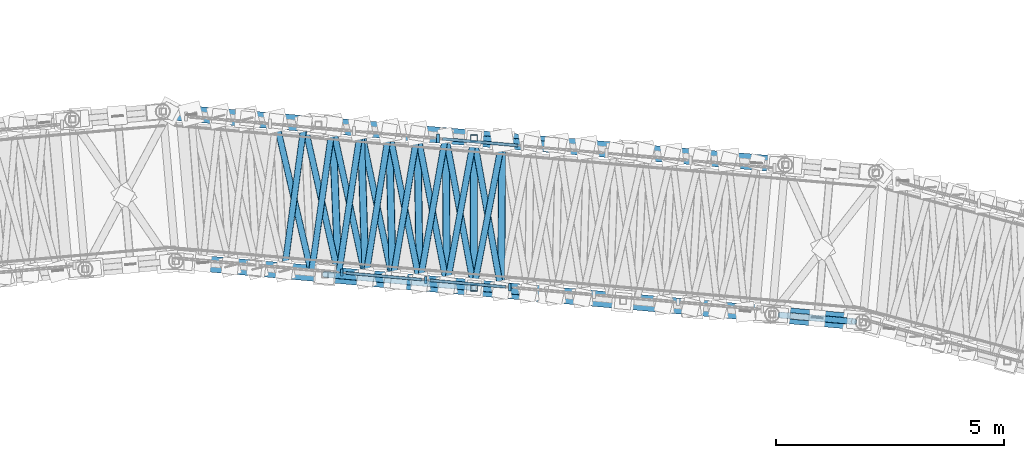
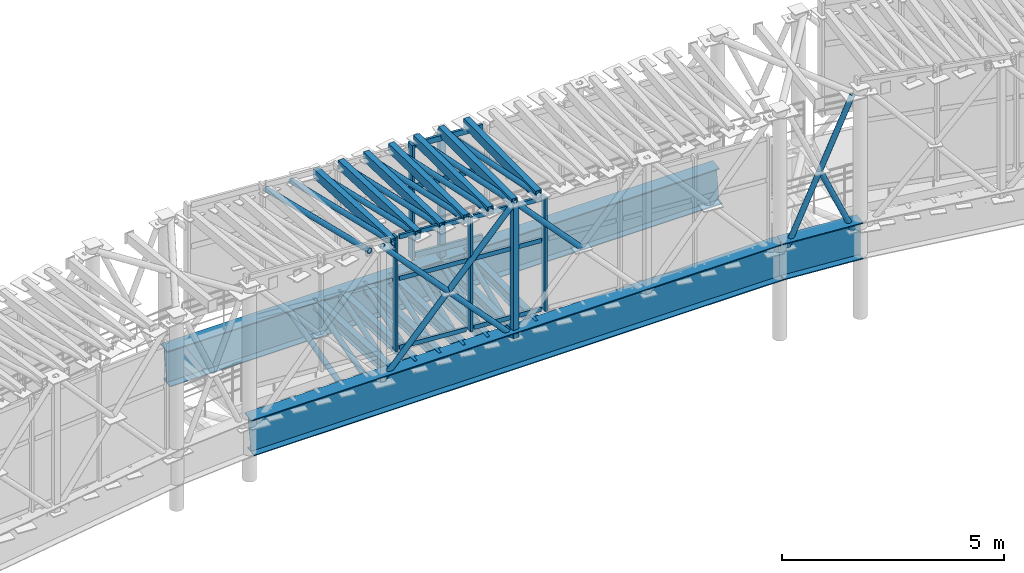
# One storey, part 55 of 144: 45 members, 10 beams, 2 elements without a shape of their own.
"""IFC4 building model written with IfcOpenShell, lengths in metres."""

from ifc_helpers import new_model, si_unit, direction, frame, origin, origin_2d, place, context, subcontext, project, spatial, rectangle, hollow_rectangle, hollow_circle, i_section, extrude, material, material_profile, profile_set, type_object, element, aggregate, save


model = new_model("IFC4")

# Units and contexts
model_context = context("Model", 3, precision=1e-05, world=origin(), true_north=direction((0.0, 1.0)))
body_context = subcontext(model_context, "Body", "Model", "MODEL_VIEW")
ifc_project = project(units=[si_unit("LENGTHUNIT", "METRE"), si_unit("AREAUNIT", "SQUARE_METRE"), si_unit("VOLUMEUNIT", "CUBIC_METRE"), si_unit("PLANEANGLEUNIT", "RADIAN"), si_unit("MASSUNIT", "GRAM", prefix="KILO")], contexts=[model_context])

# Site, building, storey
site_placement = place(None, origin())
site = spatial("IfcSite", under=ifc_project, at=site_placement, CompositionType="ELEMENT")
building_placement = place(site_placement, origin())
building = spatial("IfcBuilding", under=site, at=building_placement, Name="Cinderbank Siding Concert Hall", CompositionType="ELEMENT")
storey_placement = place(building_placement, frame((0.0, 0.0, 5.39990234375)))
storey = spatial("IfcBuildingStorey", under=building, at=storey_placement, Name="L02", CompositionType="ELEMENT", Elevation=5.39990234375)

# Beams
ifc_material_1 = material(Name="Structural steel welded plate section AS/NZS 3679.2 / AS/NZS 3678 Grade 350 (340 MPa)", Category="steel")
ifc_material_profile_1 = material_profile(ifc_material_1, i_section(OverallWidth=0.35009765625, OverallDepth=1.0, WebThickness=0.013916015625, FlangeThickness=0.02490234375, at=origin_2d()), Name="1000WB258", Category="LoadBearing")
ifc_profile_set_1 = profile_set([ifc_material_profile_1], Name="Structural steel welded plate section AS/NZS 3679.2 / AS/NZS 3678 Grade 350 (340 MPa)")
beam_type_1 = type_object("IfcBeamType", Name="BM-WB1000 1000WB258", PredefinedType="BEAM", material=ifc_profile_set_1)
beam_1_placement = place(storey_placement, frame((79.194091796875, 102.43603515625, 1.2001953125), z_axis=(0.993919612759, -0.085184998498, 0.069766176649), x_axis=(0.085393069666, 0.996347340867, 0.0)))
element("IfcBeam", 1, at=beam_1_placement, inside=storey, type_object=beam_type_1, Name="L02 Beam BM-WB1000 #1957", PredefinedType="BEAM", context=body_context, shape_type="SweptSolid", body=[
    extrude(i_section(OverallWidth=0.35009765625, OverallDepth=1.0, WebThickness=0.013916015625, FlangeThickness=0.02490234375, at=origin_2d()), origin(), (0.0, 0.0, 1.0), 13.759765625),
])
beam_2_placement = place(storey_placement, frame((79.48095703125, 99.14794921875, 1.2001953125), z_axis=(0.993388764882, -0.088776739768, 0.072783598992), x_axis=(0.089012823436, 0.996030480088, 0.0)))
element("IfcBeam", 2, at=beam_2_placement, inside=storey, type_object=beam_type_1, Name="L02 Beam BM-WB1000 #1958", PredefinedType="BEAM", context=body_context, shape_type="SweptSolid", body=[
    extrude(i_section(OverallWidth=0.35009765625, OverallDepth=1.0, WebThickness=0.013916015625, FlangeThickness=0.02490234375, at=origin_2d()), origin(), (0.0, 0.0, 1.0), 13.189208984375),
])
beam_3_placement = place(storey_placement, frame((92.5830078125, 97.97705078125, 2.16015625), z_axis=(0.996160913547, -0.087541043634, 0.0), x_axis=(0.087541043634, 0.996160913547, 0.0)))
element("IfcBeam", 3, at=beam_3_placement, inside=storey, type_object=beam_type_1, Name="L02 Beam BM-WB1000 #1982", PredefinedType="BEAM", context=body_context, shape_type="SweptSolid", body=[
    extrude(i_section(OverallWidth=0.35009765625, OverallDepth=1.0, WebThickness=0.013916015625, FlangeThickness=0.02490234375, at=origin_2d()), origin(), (0.0, 0.0, 1.0), 1.99951171875),
])

# Members
ifc_material_2 = material(Name="Structural steel hollow section AS/NZS 1163 Grade C350L0 (350 MPa)", Category="steel")
ifc_material_profile_2 = material_profile(ifc_material_2, hollow_circle(Radius=0.06982421875, WallThickness=0.00634765625, at=origin_2d()), Name="139.7x6.4CHS", Category="LoadBearing")
ifc_profile_set_2 = profile_set([ifc_material_profile_2], Name="Structural steel hollow section AS/NZS 1163 Grade C350L0 (350 MPa)")
member_type_1 = type_object("IfcMemberType", Name="BR-CHS139 139.7x6.4CHS Roof Truss", PredefinedType="BRACE", material=ifc_profile_set_2)
member_1_placement = place(storey_placement, frame((86.031982421875, 101.85009765625, 5.650146484375), z_axis=(0.701628131288, -0.060191406004, -0.709996450716), x_axis=(0.085474235884, 0.996340381095, 0.0)))
element("IfcMember", 4, at=member_1_placement, inside=storey, type_object=member_type_1, Name="L02 Diagonal Brace BR-CHS139 #BRDL-BR-CHS139-L02-0247", PredefinedType="BRACE", context=body_context, shape_type="SweptSolid", body=[
    extrude(hollow_circle(Radius=0.06982421875, WallThickness=0.00634765625, at=origin_2d()), origin(), (0.0, 0.0, 1.0), 2.42138671875),
])
member_2_placement = place(storey_placement, frame((82.756591796875, 98.855224609375, 1.710205078125), z_axis=(0.638233902042, -0.057039538502, 0.767726499042), x_axis=(0.089016114562, 0.996030185962, 0.0)))
element("IfcMember", 5, at=member_2_placement, inside=storey, type_object=member_type_1, Name="L02 Diagonal Brace BR-CHS139 #BRDR-BR-CHS139-L02-0255", PredefinedType="BRACE", context=body_context, shape_type="SweptSolid", body=[
    extrude(hollow_circle(Radius=0.06982421875, WallThickness=0.00634765625, at=origin_2d()), origin(), (0.0, 0.0, 1.0), 5.132080078125),
])
member_3_placement = place(storey_placement, frame((82.756591796875, 98.855224609375, 5.41015625), z_axis=(0.686157934291, -0.061348654191, -0.724861112103), x_axis=(0.089053703604, 0.996026825881, 0.0)))
element("IfcMember", 6, at=member_3_placement, inside=storey, type_object=member_type_1, Name="L02 Diagonal Brace BR-CHS139 #BRDR-BR-CHS139-L02-0256", PredefinedType="BRACE", context=body_context, shape_type="SweptSolid", body=[
    extrude(hollow_circle(Radius=0.06982421875, WallThickness=0.00634765625, at=origin_2d()), origin(), (0.0, 0.0, 1.0), 2.371826171875),
])
member_4_placement = place(storey_placement, frame((84.404541015625, 98.7080078125, 3.669189453125), z_axis=(0.686209132579, -0.061353231776, -0.724812256599), x_axis=(0.089053703604, 0.996026825881, 0.0)))
element("IfcMember", 7, at=member_4_placement, inside=storey, type_object=member_type_1, Name="L02 Diagonal Brace BR-CHS139 #BRDR-BR-CHS139-L02-0256-S30", PredefinedType="BRACE", context=body_context, shape_type="SweptSolid", body=[
    extrude(hollow_circle(Radius=0.06982421875, WallThickness=0.00634765625, at=origin_2d()), origin(), (0.0, 0.0, 1.0), 2.37158203125),
])
member_5_placement = place(storey_placement, frame((86.031982421875, 98.5625, 5.650146484375), z_axis=(0.686157934291, -0.061348654191, -0.724861112103), x_axis=(0.089053703604, 0.996026825881, 0.0)))
element("IfcMember", 8, at=member_5_placement, inside=storey, type_object=member_type_1, Name="L02 Diagonal Brace BR-CHS139 #BRDR-BR-CHS139-L02-0259", PredefinedType="BRACE", context=body_context, shape_type="SweptSolid", body=[
    extrude(hollow_circle(Radius=0.06982421875, WallThickness=0.00634765625, at=origin_2d()), origin(), (0.0, 0.0, 1.0), 2.371826171875),
])
member_6_placement = place(storey_placement, frame((81.86328125, 98.93505859375, 1.674560546875), z_axis=(0.134463652098, 0.990828101584, 0.013386537111), x_axis=(-0.990916891406, 0.134475701619, 0.0)))
element("IfcMember", 9, at=member_6_placement, inside=storey, type_object=member_type_1, Name="L02 Diagonal Brace BR-CHS139 #BRST-BR-CHS139-L02-0274", PredefinedType="BRACE", context=body_context, shape_type="SweptSolid", body=[
    extrude(hollow_circle(Radius=0.06982421875, WallThickness=0.00634765625, at=origin_2d()), origin(), (0.0, 0.0, 1.0), 3.2646484375),
])
member_7_placement = place(storey_placement, frame((81.680419921875, 102.222900390625, 5.314697265625), z_axis=(0.226862482593, -0.973843498834, 0.012737887197), x_axis=(0.973922513339, 0.226880889479, 0.0)))
element("IfcMember", 10, at=member_7_placement, inside=storey, type_object=member_type_1, Name="L02 Diagonal Brace BR-CHS139 #BRXR-BR-CHS139-L02-0275", PredefinedType="BRACE", context=body_context, shape_type="SweptSolid", body=[
    extrude(hollow_circle(Radius=0.06982421875, WallThickness=0.00634765625, at=origin_2d()), origin(), (0.0, 0.0, 1.0), 3.430908203125),
])
member_8_placement = place(storey_placement, frame((82.458740234375, 98.8818359375, 1.71826171875), z_axis=(0.142308070895, 0.989732089915, 0.013371729496), x_axis=(-0.989820585391, 0.142320795167, 0.0)))
element("IfcMember", 11, at=member_8_placement, inside=storey, type_object=member_type_1, Name="L02 Diagonal Brace BR-CHS139 #BRST-BR-CHS139-L02-0277", PredefinedType="BRACE", context=body_context, shape_type="SweptSolid", body=[
    extrude(hollow_circle(Radius=0.06982421875, WallThickness=0.00634765625, at=origin_2d()), origin(), (0.0, 0.0, 1.0), 3.26806640625),
])
member_9_placement = place(storey_placement, frame((82.30224609375, 102.169677734375, 5.3583984375), z_axis=(0.219553891248, -0.975517857705, 0.012688504105), x_axis=(0.975596395467, 0.219571567266, 0.0)))
element("IfcMember", 12, at=member_9_placement, inside=storey, type_object=member_type_1, Name="L02 Diagonal Brace BR-CHS139 #BRXR-BR-CHS139-L02-0278", PredefinedType="BRACE", context=body_context, shape_type="SweptSolid", body=[
    extrude(hollow_circle(Radius=0.06982421875, WallThickness=0.00634765625, at=origin_2d()), origin(), (0.0, 0.0, 1.0), 3.4248046875),
])
member_10_placement = place(storey_placement, frame((83.05419921875, 98.82861328125, 1.761962890625), z_axis=(0.150136842202, 0.988574992788, 0.013357104749), x_axis=(-0.988663191533, 0.15015023712, 0.0)))
element("IfcMember", 13, at=member_10_placement, inside=storey, type_object=member_type_1, Name="L02 Diagonal Brace BR-CHS139 #BRST-BR-CHS139-L02-0280", PredefinedType="BRACE", context=body_context, shape_type="SweptSolid", body=[
    extrude(hollow_circle(Radius=0.06982421875, WallThickness=0.00634765625, at=origin_2d()), origin(), (0.0, 0.0, 1.0), 3.271728515625),
])
member_11_placement = place(storey_placement, frame((82.923828125, 102.116455078125, 5.40185546875), z_axis=(0.212344115351, -0.977111371414, 0.012780631018), x_axis=(0.97719118409, 0.212361460101, 0.0)))
element("IfcMember", 14, at=member_11_placement, inside=storey, type_object=member_type_1, Name="L02 Diagonal Brace BR-CHS139 #BRXR-BR-CHS139-L02-0281", PredefinedType="BRACE", context=body_context, shape_type="SweptSolid", body=[
    extrude(hollow_circle(Radius=0.06982421875, WallThickness=0.00634765625, at=origin_2d()), origin(), (0.0, 0.0, 1.0), 3.41943359375),
])
member_12_placement = place(storey_placement, frame((83.64990234375, 98.775390625, 1.8056640625), z_axis=(0.15785451146, 0.987373261486, 0.013266337601), x_axis=(-0.987460159688, 0.157868404153, 0.0)))
element("IfcMember", 15, at=member_12_placement, inside=storey, type_object=member_type_1, Name="L02 Diagonal Brace BR-CHS139 #BRST-BR-CHS139-L02-0283", PredefinedType="BRACE", context=body_context, shape_type="SweptSolid", body=[
    extrude(hollow_circle(Radius=0.06982421875, WallThickness=0.00634765625, at=origin_2d()), origin(), (0.0, 0.0, 1.0), 3.275634765625),
])
member_13_placement = place(storey_placement, frame((83.54541015625, 102.06298828125, 5.445556640625), z_axis=(0.205045540839, -0.978668706256, 0.012801936453), x_axis=(0.978748912915, 0.205062345318, 0.0)))
element("IfcMember", 16, at=member_13_placement, inside=storey, type_object=member_type_1, Name="L02 Diagonal Brace BR-CHS139 #BRXR-BR-CHS139-L02-0284", PredefinedType="BRACE", context=body_context, shape_type="SweptSolid", body=[
    extrude(hollow_circle(Radius=0.06982421875, WallThickness=0.00634765625, at=origin_2d()), origin(), (0.0, 0.0, 1.0), 3.41357421875),
])
member_14_placement = place(storey_placement, frame((84.245361328125, 98.72216796875, 1.84912109375), z_axis=(0.16568783454, 0.986088244376, 0.013323505113), x_axis=(-0.986175779147, 0.165702542601, 0.0)))
element("IfcMember", 17, at=member_14_placement, inside=storey, type_object=member_type_1, Name="L02 Diagonal Brace BR-CHS139 #BRST-BR-CHS139-L02-0286", PredefinedType="BRACE", context=body_context, shape_type="SweptSolid", body=[
    extrude(hollow_circle(Radius=0.06982421875, WallThickness=0.00634765625, at=origin_2d()), origin(), (0.0, 0.0, 1.0), 3.280029296875),
])
member_15_placement = place(storey_placement, frame((84.1669921875, 102.009765625, 5.4892578125), z_axis=(0.197697825452, -0.980180088221, 0.012750077149), x_axis=(0.980259769163, 0.197713896733, 0.0)))
element("IfcMember", 18, at=member_15_placement, inside=storey, type_object=member_type_1, Name="L02 Diagonal Brace BR-CHS139 #BRXR-BR-CHS139-L02-0287", PredefinedType="BRACE", context=body_context, shape_type="SweptSolid", body=[
    extrude(hollow_circle(Radius=0.06982421875, WallThickness=0.00634765625, at=origin_2d()), origin(), (0.0, 0.0, 1.0), 3.408447265625),
])
member_16_placement = place(storey_placement, frame((84.8408203125, 98.6689453125, 1.892822265625), z_axis=(0.173417981453, 0.984758430471, 0.013305537368), x_axis=(-0.984845611546, 0.173433334219, 0.0)))
element("IfcMember", 19, at=member_16_placement, inside=storey, type_object=member_type_1, Name="L02 Diagonal Brace BR-CHS139 #BRST-BR-CHS139-L02-0289", PredefinedType="BRACE", context=body_context, shape_type="SweptSolid", body=[
    extrude(hollow_circle(Radius=0.06982421875, WallThickness=0.00634765625, at=origin_2d()), origin(), (0.0, 0.0, 1.0), 3.284423828125),
])
member_17_placement = place(storey_placement, frame((84.788818359375, 101.95654296875, 5.53271484375), z_axis=(0.190316272109, -0.981638849432, 0.012840788808), x_axis=(0.981719788623, 0.190331964281, 0.0)))
element("IfcMember", 20, at=member_17_placement, inside=storey, type_object=member_type_1, Name="L02 Diagonal Brace BR-CHS139 #BRXR-BR-CHS139-L02-0290", PredefinedType="BRACE", context=body_context, shape_type="SweptSolid", body=[
    extrude(hollow_circle(Radius=0.06982421875, WallThickness=0.00634765625, at=origin_2d()), origin(), (0.0, 0.0, 1.0), 3.4033203125),
])
member_18_placement = place(storey_placement, frame((85.4365234375, 98.61572265625, 1.9365234375), z_axis=(0.18104459299, 0.983386128715, 0.013212766524), x_axis=(-0.983471978354, 0.181060398189, 0.0)))
element("IfcMember", 21, at=member_18_placement, inside=storey, type_object=member_type_1, Name="L02 Diagonal Brace BR-CHS139 #BRST-BR-CHS139-L02-0292", PredefinedType="BRACE", context=body_context, shape_type="SweptSolid", body=[
    extrude(hollow_circle(Radius=0.06982421875, WallThickness=0.00634765625, at=origin_2d()), origin(), (0.0, 0.0, 1.0), 3.2890625),
])
member_19_placement = place(storey_placement, frame((85.410400390625, 101.9033203125, 5.576416015625), z_axis=(0.182902481502, -0.983046958707, 0.012859208244), x_axis=(0.983128246736, 0.182917605685, 0.0)))
element("IfcMember", 22, at=member_19_placement, inside=storey, type_object=member_type_1, Name="L02 Diagonal Brace BR-CHS139 #BRXR-BR-CHS139-L02-0293", PredefinedType="BRACE", context=body_context, shape_type="SweptSolid", body=[
    extrude(hollow_circle(Radius=0.06982421875, WallThickness=0.00634765625, at=origin_2d()), origin(), (0.0, 0.0, 1.0), 3.3984375),
])
member_20_placement = place(storey_placement, frame((86.031982421875, 98.5625, 1.97998046875), z_axis=(0.188723545375, 0.98194061492, 0.013268466073), x_axis=(-0.982027062733, 0.188740160166, 0.0)))
element("IfcMember", 23, at=member_20_placement, inside=storey, type_object=member_type_1, Name="L02 Diagonal Brace BR-CHS139 #BRST-BR-CHS139-L02-0295", PredefinedType="BRACE", context=body_context, shape_type="SweptSolid", body=[
    extrude(hollow_circle(Radius=0.06982421875, WallThickness=0.00634765625, at=origin_2d()), origin(), (0.0, 0.0, 1.0), 3.293701171875),
])
member_21_placement = place(storey_placement, frame((86.031982421875, 101.85009765625, 5.6201171875), z_axis=(0.175457356301, -0.984402814111, 0.012876944148), x_axis=(0.984484438978, 0.175471904901, 0.0)))
element("IfcMember", 24, at=member_21_placement, inside=storey, type_object=member_type_1, Name="L02 Diagonal Brace BR-CHS139 #BRXR-BR-CHS139-L02-0296", PredefinedType="BRACE", context=body_context, shape_type="SweptSolid", body=[
    extrude(hollow_circle(Radius=0.06982421875, WallThickness=0.00634765625, at=origin_2d()), origin(), (0.0, 0.0, 1.0), 3.393798828125),
])
member_22_placement = place(storey_placement, frame((92.772216796875, 97.96044921875, 2.43017578125), z_axis=(0.399490003675, -0.035119336077, 0.916064609729), x_axis=(0.087572684968, 0.996158132451, 0.0)))
element("IfcMember", 25, at=member_22_placement, inside=storey, type_object=member_type_1, Name="L02 Diagonal Brace BR-CHS139 #BRDR-BR-CHS139-L02-0332", PredefinedType="BRACE", context=body_context, shape_type="SweptSolid", body=[
    extrude(hollow_circle(Radius=0.06982421875, WallThickness=0.00634765625, at=origin_2d()), origin(), (0.0, 0.0, 1.0), 4.0390625),
])
member_23_placement = place(storey_placement, frame((93.5849609375, 97.888916015625, 4.266357421875), z_axis=(0.399504832349, -0.035078473084, -0.916059708565), x_axis=(0.087468348225, 0.996167299232, 0.0)))
element("IfcMember", 26, at=member_23_placement, inside=storey, type_object=member_type_1, Name="L02 Diagonal Brace BR-CHS139 #BRDR-BR-CHS139-L02-0333-S34", PredefinedType="BRACE", context=body_context, shape_type="SweptSolid", body=[
    extrude(hollow_circle(Radius=0.06982421875, WallThickness=0.00634765625, at=origin_2d()), origin(), (0.0, 0.0, 1.0), 2.00439453125),
])
ifc_material_profile_3 = material_profile(ifc_material_2, hollow_rectangle(XDim=0.14990234375, YDim=0.14990234375, WallThickness=0.008056640625, at=origin_2d()), Name="150x150x8.0SHS", Category="LoadBearing")
ifc_profile_set_3 = profile_set([ifc_material_profile_3], Name="Structural steel hollow section AS/NZS 1163 Grade C350L0 (350 MPa)")
member_type_2 = type_object("IfcMemberType", Name="BR-SHS150 150x150x8.0SHS Roof Truss", PredefinedType="BRACE", material=ifc_profile_set_3)
for number, where, z_axis, x_axis, name in (
    (27, (86.031982421875, 101.85009765625, 1.9501953125), (0.0, 0.0, 1.0), (1.0, 0.0, 0.0), "L02 Diagonal Brace BR-SHS150 #BRVL-BR-SHS150-L02-0245"),
    (28, (86.031982421875, 98.5625, 1.9501953125), (0.0, 0.0, 1.0), (1.0, 0.0, 0.0), "L02 Diagonal Brace BR-SHS150 #BRVR-BR-SHS150-L02-0257"),
):
    element("IfcMember", number, at=place(storey_placement, frame(where, z_axis=z_axis, x_axis=x_axis)), inside=storey, type_object=member_type_2, Name=name, PredefinedType="BRACE", context=body_context, shape_type="SweptSolid", body=[
        extrude(hollow_rectangle(XDim=0.14990234375, YDim=0.14990234375, WallThickness=0.008056640625, at=origin_2d()), origin(), (0.0, 0.0, 1.0), 3.699951171875),
    ])

# Curtain wall, members
ifc_material_3 = material(Name="Anodised aluminium alloy 6063-T6", Category="aluminium")
curtain_wall_type = type_object("IfcCurtainWallType", Name="CW-15 Unitised Acoustic Curtain Wall 12800x3200", PredefinedType="NOTDEFINED", material=ifc_material_3)
curtain_wall_1_placement = place(storey_placement, origin())
curtain_wall_1 = element("IfcCurtainWall", 29, at=curtain_wall_1_placement, inside=storey, type_object=curtain_wall_type, Name="L02 Curtain Wall CW-15 #158", PredefinedType="NOTDEFINED")
ifc_material_profile_4 = material_profile(ifc_material_3, rectangle(XDim=0.06005859375, YDim=0.159912109375, at=origin_2d()), Name="ALU-MULL-60x160", Category="LoadBearing")
ifc_profile_set_4 = profile_set([ifc_material_profile_4], Name="Anodised aluminium alloy 6063-T6")
member_type_3 = type_object("IfcMemberType", Name="CW-ML1 Mullion 60x160", PredefinedType="MULLION", material=ifc_profile_set_4)
member_24_placement = place(storey_placement, frame((83.1240234375, 98.89453125, 2.400146484375), z_axis=(0.0, 0.0, 1.0), x_axis=(1.0, 0.0, 0.0)))
member_24 = element("IfcMember", 30, at=member_24_placement, type_object=member_type_3, Name="CW-L02-158 Mullion 2", PredefinedType="MULLION", context=body_context, shape_type="SweptSolid", body=[
    extrude(rectangle(XDim=0.06005859375, YDim=0.159912109375, at=origin_2d()), origin(), (0.0, 0.0, 1.0), 3.14990234375),
])
member_25_placement = place(storey_placement, frame((84.97216796875, 98.73291015625, 2.400146484375), z_axis=(0.0, 0.0, 1.0), x_axis=(1.0, 0.0, 0.0)))
member_25 = element("IfcMember", 31, at=member_25_placement, type_object=member_type_3, Name="CW-L02-158 Mullion 3", PredefinedType="MULLION", context=body_context, shape_type="SweptSolid", body=[
    extrude(rectangle(XDim=0.06005859375, YDim=0.159912109375, at=origin_2d()), origin(), (0.0, 0.0, 1.0), 3.14990234375),
])
member_26_placement = place(storey_placement, frame((86.8203125, 98.5712890625, 2.400146484375), z_axis=(0.0, 0.0, 1.0), x_axis=(1.0, 0.0, 0.0)))
member_26 = element("IfcMember", 32, at=member_26_placement, type_object=member_type_3, Name="CW-L02-158 Mullion 4", PredefinedType="MULLION", context=body_context, shape_type="SweptSolid", body=[
    extrude(rectangle(XDim=0.06005859375, YDim=0.159912109375, at=origin_2d()), origin(), (0.0, 0.0, 1.0), 3.14990234375),
])

# Curtain wall, member
curtain_wall_2_placement = place(storey_placement, origin())
curtain_wall_2 = element("IfcCurtainWall", 33, at=curtain_wall_2_placement, inside=storey, type_object=curtain_wall_type, Name="L02 Curtain Wall CW-15 #157", PredefinedType="NOTDEFINED")
ifc_material_profile_5 = material_profile(ifc_material_3, rectangle(XDim=0.06494140625, YDim=0.199951171875, at=origin_2d()), Name="ALU-MULL-65x200", Category="LoadBearing")
ifc_profile_set_5 = profile_set([ifc_material_profile_5], Name="Anodised aluminium alloy 6063-T6")
member_type_4 = type_object("IfcMemberType", Name="CW-ML2 Mullion 65x200", PredefinedType="MULLION", material=ifc_profile_set_5)
member_27_placement = place(storey_placement, frame((85.244140625, 101.841064453125, 2.400146484375), z_axis=(0.0, 0.0, 1.0), x_axis=(1.0, 0.0, 0.0)))
member_27 = element("IfcMember", 34, at=member_27_placement, type_object=member_type_4, Name="CW-L02-157 Mullion 3", PredefinedType="MULLION", context=body_context, shape_type="SweptSolid", body=[
    extrude(rectangle(XDim=0.06494140625, YDim=0.199951171875, at=origin_2d()), origin(), (0.0, 0.0, 1.0), 3.14990234375),
])

# Member
ifc_material_profile_6 = material_profile(ifc_material_3, rectangle(XDim=0.06005859375, YDim=0.1201171875, at=origin_2d()), Name="ALU-TRAN-60x120", Category="LoadBearing")
ifc_profile_set_6 = profile_set([ifc_material_profile_6], Name="Anodised aluminium alloy 6063-T6")
member_type_5 = type_object("IfcMemberType", Name="CW-TR1 Transom 60x120", PredefinedType="USERDEFINED", material=ifc_profile_set_6)
member_28_placement = place(storey_placement, frame((83.21630859375, 98.886474609375, 2.460205078125), z_axis=(0.996195463137, -0.087146997803, 0.0), x_axis=(0.087146997803, 0.996195463137, 0.0)))
member_28 = element("IfcMember", 35, at=member_28_placement, type_object=member_type_5, Name="CW-L02-158 Transom 2-0", ObjectType="TRANSOM", PredefinedType="USERDEFINED", context=body_context, shape_type="SweptSolid", body=[
    extrude(rectangle(XDim=0.06005859375, YDim=0.1201171875, at=origin_2d()), origin(), (0.0, 0.0, 1.0), 1.669677734375),
])

member_29_placement = place(storey_placement, frame((83.21630859375, 98.886474609375, 4.35302734375), z_axis=(0.996195463137, -0.087146997803, 0.0), x_axis=(0.087146997803, 0.996195463137, 0.0)))
member_29 = element("IfcMember", 36, at=member_29_placement, type_object=member_type_5, Name="CW-L02-158 Transom 2-1", ObjectType="TRANSOM", PredefinedType="USERDEFINED", context=body_context, shape_type="SweptSolid", body=[
    extrude(rectangle(XDim=0.06005859375, YDim=0.1201171875, at=origin_2d()), origin(), (0.0, 0.0, 1.0), 1.669677734375),
])

member_30_placement = place(storey_placement, frame((83.21630859375, 98.886474609375, 5.489990234375), z_axis=(0.996195463137, -0.087146997803, 0.0), x_axis=(0.087146997803, 0.996195463137, 0.0)))
member_30 = element("IfcMember", 37, at=member_30_placement, type_object=member_type_5, Name="CW-L02-158 Transom 2-2", ObjectType="TRANSOM", PredefinedType="USERDEFINED", context=body_context, shape_type="SweptSolid", body=[
    extrude(rectangle(XDim=0.06005859375, YDim=0.1201171875, at=origin_2d()), origin(), (0.0, 0.0, 1.0), 1.669677734375),
])

member_31_placement = place(storey_placement, frame((85.064453125, 98.724853515625, 2.460205078125), z_axis=(0.996195463137, -0.087146997803, 0.0), x_axis=(0.087146997803, 0.996195463137, 0.0)))
member_31 = element("IfcMember", 38, at=member_31_placement, type_object=member_type_5, Name="CW-L02-158 Transom 3-0", ObjectType="TRANSOM", PredefinedType="USERDEFINED", context=body_context, shape_type="SweptSolid", body=[
    extrude(rectangle(XDim=0.06005859375, YDim=0.1201171875, at=origin_2d()), origin(), (0.0, 0.0, 1.0), 1.669677734375),
])

member_32_placement = place(storey_placement, frame((85.064453125, 98.724853515625, 4.35302734375), z_axis=(0.996195463137, -0.087146997803, 0.0), x_axis=(0.087146997803, 0.996195463137, 0.0)))
member_32 = element("IfcMember", 39, at=member_32_placement, type_object=member_type_5, Name="CW-L02-158 Transom 3-1", ObjectType="TRANSOM", PredefinedType="USERDEFINED", context=body_context, shape_type="SweptSolid", body=[
    extrude(rectangle(XDim=0.06005859375, YDim=0.1201171875, at=origin_2d()), origin(), (0.0, 0.0, 1.0), 1.669677734375),
])

member_33_placement = place(storey_placement, frame((85.064453125, 98.724853515625, 5.489990234375), z_axis=(0.996195463137, -0.087146997803, 0.0), x_axis=(0.087146997803, 0.996195463137, 0.0)))
member_33 = element("IfcMember", 40, at=member_33_placement, type_object=member_type_5, Name="CW-L02-158 Transom 3-2", ObjectType="TRANSOM", PredefinedType="USERDEFINED", context=body_context, shape_type="SweptSolid", body=[
    extrude(rectangle(XDim=0.06005859375, YDim=0.1201171875, at=origin_2d()), origin(), (0.0, 0.0, 1.0), 1.669677734375),
])

aggregate(curtain_wall_1, [member_24, member_25, member_26, member_28, member_29, member_30, member_31, member_32, member_33])

ifc_material_profile_7 = material_profile(ifc_material_3, rectangle(XDim=0.06494140625, YDim=0.14990234375, at=origin_2d()), Name="ALU-TRAN-65x150", Category="LoadBearing")
ifc_profile_set_7 = profile_set([ifc_material_profile_7], Name="Anodised aluminium alloy 6063-T6")
member_type_6 = type_object("IfcMemberType", Name="CW-TR2 Transom 65x150", PredefinedType="USERDEFINED", material=ifc_profile_set_7)
member_34_placement = place(storey_placement, frame((85.33642578125, 101.8330078125, 2.460205078125), z_axis=(0.996195463137, -0.087146997803, 0.0), x_axis=(0.087146997803, 0.996195463137, 0.0)))
member_34 = element("IfcMember", 41, at=member_34_placement, type_object=member_type_6, Name="CW-L02-157 Transom 3-0", ObjectType="TRANSOM", PredefinedType="USERDEFINED", context=body_context, shape_type="SweptSolid", body=[
    extrude(rectangle(XDim=0.06494140625, YDim=0.14990234375, at=origin_2d()), origin(), (0.0, 0.0, 1.0), 1.669677734375),
])

member_35_placement = place(storey_placement, frame((85.33642578125, 101.8330078125, 4.35302734375), z_axis=(0.996195463137, -0.087146997803, 0.0), x_axis=(0.087146997803, 0.996195463137, 0.0)))
member_35 = element("IfcMember", 42, at=member_35_placement, type_object=member_type_6, Name="CW-L02-157 Transom 3-1", ObjectType="TRANSOM", PredefinedType="USERDEFINED", context=body_context, shape_type="SweptSolid", body=[
    extrude(rectangle(XDim=0.06494140625, YDim=0.14990234375, at=origin_2d()), origin(), (0.0, 0.0, 1.0), 1.669677734375),
])

member_36_placement = place(storey_placement, frame((85.33642578125, 101.8330078125, 5.489990234375), z_axis=(0.996195463137, -0.087146997803, 0.0), x_axis=(0.087146997803, 0.996195463137, 0.0)))
member_36 = element("IfcMember", 43, at=member_36_placement, type_object=member_type_6, Name="CW-L02-157 Transom 3-2", ObjectType="TRANSOM", PredefinedType="USERDEFINED", context=body_context, shape_type="SweptSolid", body=[
    extrude(rectangle(XDim=0.06494140625, YDim=0.14990234375, at=origin_2d()), origin(), (0.0, 0.0, 1.0), 1.669677734375),
])

aggregate(curtain_wall_2, [member_27, member_34, member_35, member_36])

# Beams
ifc_material_4 = material(Name="Structural steel AS/NZS 3679.1 Grade 350 (340 MPa)", Category="steel")
ifc_material_profile_8 = material_profile(ifc_material_4, i_section(OverallWidth=0.1650390625, OverallDepth=0.303955078125, WebThickness=0.006103515625, FlangeThickness=0.01025390625, at=origin_2d()), Name="310UB40.4", Category="LoadBearing")
ifc_profile_set_8 = profile_set([ifc_material_profile_8], Name="Structural steel AS/NZS 3679.1 Grade 350 (340 MPa)")
beam_type_2 = type_object("IfcBeamType", Name="JS-UB310 310UB40.4", PredefinedType="JOIST", material=ifc_profile_set_8)
beam_4_placement = place(storey_placement, frame((83.05419921875, 98.82861328125, 1.809814453125), z_axis=(-0.039621347376, 0.99921476612, 0.0), x_axis=(-0.99921476612, -0.039621347376, 0.0)))
element("IfcBeam", 44, at=beam_4_placement, inside=storey, type_object=beam_type_2, Name="L02 Beam JS-UB310 #1964", PredefinedType="JOIST", context=body_context, shape_type="SweptSolid", body=[
    extrude(i_section(OverallWidth=0.1650390625, OverallDepth=0.303955078125, WebThickness=0.006103515625, FlangeThickness=0.01025390625, at=origin_2d()), origin(), (0.0, 0.0, 1.0), 3.29052734375),
])
beam_5_placement = place(storey_placement, frame((83.64990234375, 98.775390625, 1.853515625), z_axis=(-0.031767709742, 0.999495278937, 0.0), x_axis=(-0.999495278937, -0.031767709742, 0.0)))
element("IfcBeam", 45, at=beam_5_placement, inside=storey, type_object=beam_type_2, Name="L02 Beam JS-UB310 #1965", PredefinedType="JOIST", context=body_context, shape_type="SweptSolid", body=[
    extrude(i_section(OverallWidth=0.1650390625, OverallDepth=0.303955078125, WebThickness=0.006103515625, FlangeThickness=0.01025390625, at=origin_2d()), origin(), (0.0, 0.0, 1.0), 3.289306640625),
])
beam_6_placement = place(storey_placement, frame((84.245361328125, 98.72216796875, 1.897216796875), z_axis=(-0.023831043822, 0.999716000347, 0.0), x_axis=(-0.999716000347, -0.023831043822, 0.0)))
element("IfcBeam", 46, at=beam_6_placement, inside=storey, type_object=beam_type_2, Name="L02 Beam JS-UB310 #1966", PredefinedType="JOIST", context=body_context, shape_type="SweptSolid", body=[
    extrude(i_section(OverallWidth=0.1650390625, OverallDepth=0.303955078125, WebThickness=0.006103515625, FlangeThickness=0.01025390625, at=origin_2d()), origin(), (0.0, 0.0, 1.0), 3.28857421875),
])
beam_7_placement = place(storey_placement, frame((84.8408203125, 98.6689453125, 1.94091796875), z_axis=(-0.015815636345, 0.999874925002, 0.0), x_axis=(-0.999874925002, -0.015815636345, 0.0)))
element("IfcBeam", 47, at=beam_7_placement, inside=storey, type_object=beam_type_2, Name="L02 Beam JS-UB310 #1967", PredefinedType="JOIST", context=body_context, shape_type="SweptSolid", body=[
    extrude(i_section(OverallWidth=0.1650390625, OverallDepth=0.303955078125, WebThickness=0.006103515625, FlangeThickness=0.01025390625, at=origin_2d()), origin(), (0.0, 0.0, 1.0), 3.2880859375),
])
for number, where, z_axis, x_axis, name in (
    (48, (85.4365234375, 98.61572265625, 1.984619140625), (-0.007945687085, 0.99996843253, 0.0), (-0.99996843253, -0.007945687085, 0.0), "L02 Beam JS-UB310 #1968"),
    (49, (86.031982421875, 98.5625, 2.028076171875), (0.0, 1.0, 0.0), (-1.0, 0.0, 0.0), "L02 Beam JS-UB310 #1969"),
):
    element("IfcBeam", number, at=place(storey_placement, frame(where, z_axis=z_axis, x_axis=x_axis)), inside=storey, type_object=beam_type_2, Name=name, PredefinedType="JOIST", context=body_context, shape_type="SweptSolid", body=[
        extrude(i_section(OverallWidth=0.1650390625, OverallDepth=0.303955078125, WebThickness=0.006103515625, FlangeThickness=0.01025390625, at=origin_2d()), origin(), (0.0, 0.0, 1.0), 3.28759765625),
    ])
beam_8_placement = place(storey_placement, frame((86.62744140625, 98.50927734375, 2.07177734375), z_axis=(0.007946277147, 0.999968427841, 0.0), x_axis=(-0.999968427841, 0.007946277147, 0.0)))
element("IfcBeam", 50, at=beam_8_placement, inside=storey, type_object=beam_type_2, Name="L02 Beam JS-UB310 #1970", PredefinedType="JOIST", context=body_context, shape_type="SweptSolid", body=[
    extrude(i_section(OverallWidth=0.1650390625, OverallDepth=0.303955078125, WebThickness=0.006103515625, FlangeThickness=0.01025390625, at=origin_2d()), origin(), (0.0, 0.0, 1.0), 3.287353515625),
])

# Members
ifc_material_profile_9 = material_profile(ifc_material_2, hollow_rectangle(XDim=0.14990234375, YDim=0.25, WallThickness=0.009033203125, at=origin_2d()), Name="250x150x9.0RHS", Category="LoadBearing")
ifc_profile_set_9 = profile_set([ifc_material_profile_9], Name="Structural steel hollow section AS/NZS 1163 Grade C350L0 (350 MPa)")
member_type_7 = type_object("IfcMemberType", Name="PR-RHS250 250x150x9.0RHS Roof Truss", PredefinedType="PURLIN", material=ifc_profile_set_9)
member_37_placement = place(storey_placement, frame((83.05419921875, 98.82861328125, 5.40185546875), z_axis=(-0.039621347376, 0.99921476612, 0.0), x_axis=(-0.99921476612, -0.039621347376, 0.0)))
element("IfcMember", 51, at=member_37_placement, inside=storey, type_object=member_type_7, Name="L02 Roof Truss Member PR-RHS250 #276", PredefinedType="PURLIN", context=body_context, shape_type="SweptSolid", body=[
    extrude(hollow_rectangle(XDim=0.14990234375, YDim=0.25, WallThickness=0.009033203125, at=origin_2d()), origin(), (0.0, 0.0, 1.0), 3.29052734375),
])
member_38_placement = place(storey_placement, frame((83.64990234375, 98.775390625, 5.445556640625), z_axis=(-0.031767709742, 0.999495278937, 0.0), x_axis=(-0.999495278937, -0.031767709742, 0.0)))
element("IfcMember", 52, at=member_38_placement, inside=storey, type_object=member_type_7, Name="L02 Roof Truss Member PR-RHS250 #279", PredefinedType="PURLIN", context=body_context, shape_type="SweptSolid", body=[
    extrude(hollow_rectangle(XDim=0.14990234375, YDim=0.25, WallThickness=0.009033203125, at=origin_2d()), origin(), (0.0, 0.0, 1.0), 3.289306640625),
])
member_39_placement = place(storey_placement, frame((84.245361328125, 98.72216796875, 5.4892578125), z_axis=(-0.023831043822, 0.999716000347, 0.0), x_axis=(-0.999716000347, -0.023831043822, 0.0)))
element("IfcMember", 53, at=member_39_placement, inside=storey, type_object=member_type_7, Name="L02 Roof Truss Member PR-RHS250 #282", PredefinedType="PURLIN", context=body_context, shape_type="SweptSolid", body=[
    extrude(hollow_rectangle(XDim=0.14990234375, YDim=0.25, WallThickness=0.009033203125, at=origin_2d()), origin(), (0.0, 0.0, 1.0), 3.28857421875),
])
member_40_placement = place(storey_placement, frame((84.8408203125, 98.6689453125, 5.53271484375), z_axis=(-0.015815636345, 0.999874925002, 0.0), x_axis=(-0.999874925002, -0.015815636345, 0.0)))
element("IfcMember", 54, at=member_40_placement, inside=storey, type_object=member_type_7, Name="L02 Roof Truss Member PR-RHS250 #285", PredefinedType="PURLIN", context=body_context, shape_type="SweptSolid", body=[
    extrude(hollow_rectangle(XDim=0.14990234375, YDim=0.25, WallThickness=0.009033203125, at=origin_2d()), origin(), (0.0, 0.0, 1.0), 3.2880859375),
])
for number, where, z_axis, x_axis, name in (
    (55, (85.4365234375, 98.61572265625, 5.576416015625), (-0.007945687085, 0.99996843253, 0.0), (-0.99996843253, -0.007945687085, 0.0), "L02 Roof Truss Member PR-RHS250 #288"),
    (56, (86.031982421875, 98.5625, 5.6201171875), (0.0, 1.0, 0.0), (-1.0, 0.0, 0.0), "L02 Roof Truss Member PR-RHS250 #291"),
):
    element("IfcMember", number, at=place(storey_placement, frame(where, z_axis=z_axis, x_axis=x_axis)), inside=storey, type_object=member_type_7, Name=name, PredefinedType="PURLIN", context=body_context, shape_type="SweptSolid", body=[
        extrude(hollow_rectangle(XDim=0.14990234375, YDim=0.25, WallThickness=0.009033203125, at=origin_2d()), origin(), (0.0, 0.0, 1.0), 3.28759765625),
    ])
member_41_placement = place(storey_placement, frame((86.62744140625, 98.50927734375, 5.663818359375), z_axis=(0.007946277147, 0.999968427841, 0.0), x_axis=(-0.999968427841, 0.007946277147, 0.0)))
element("IfcMember", 57, at=member_41_placement, inside=storey, type_object=member_type_7, Name="L02 Roof Truss Member PR-RHS250 #294", PredefinedType="PURLIN", context=body_context, shape_type="SweptSolid", body=[
    extrude(hollow_rectangle(XDim=0.14990234375, YDim=0.25, WallThickness=0.009033203125, at=origin_2d()), origin(), (0.0, 0.0, 1.0), 3.287353515625),
])

save(model, "model.ifc")
